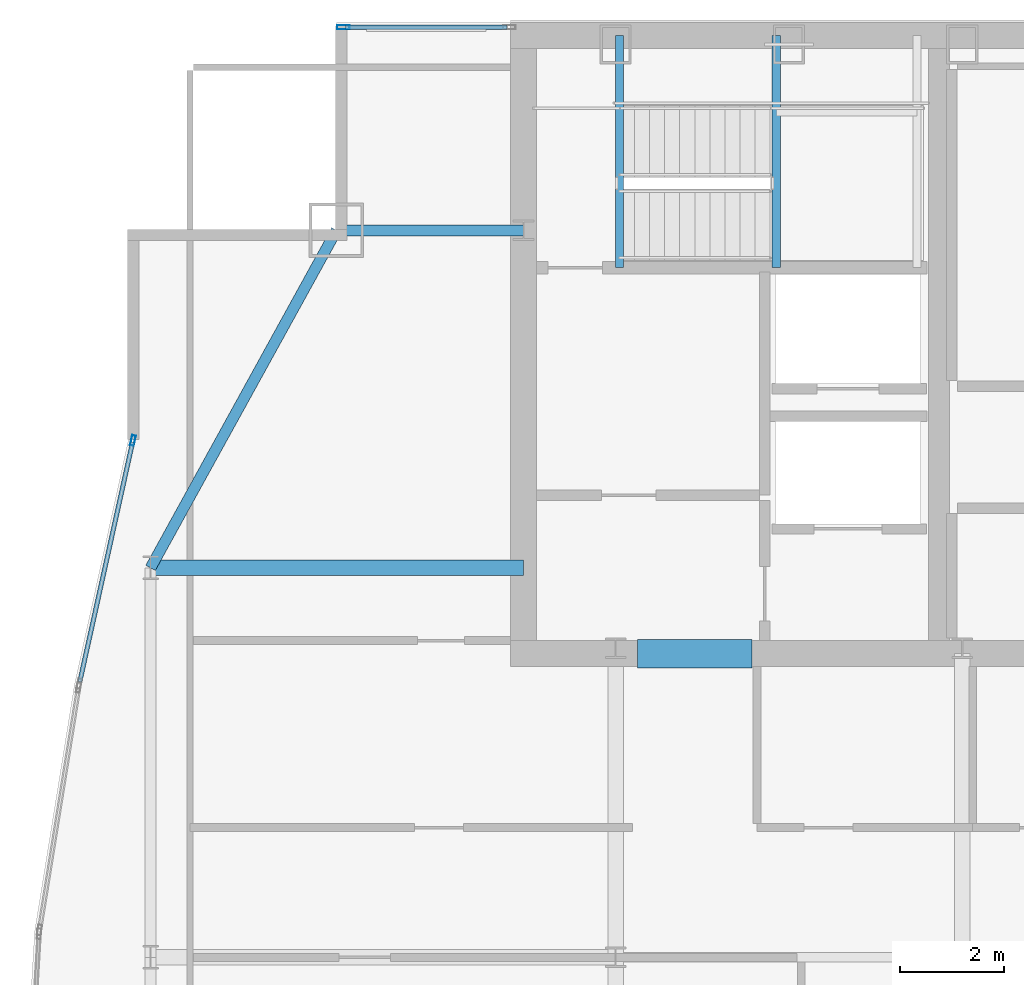
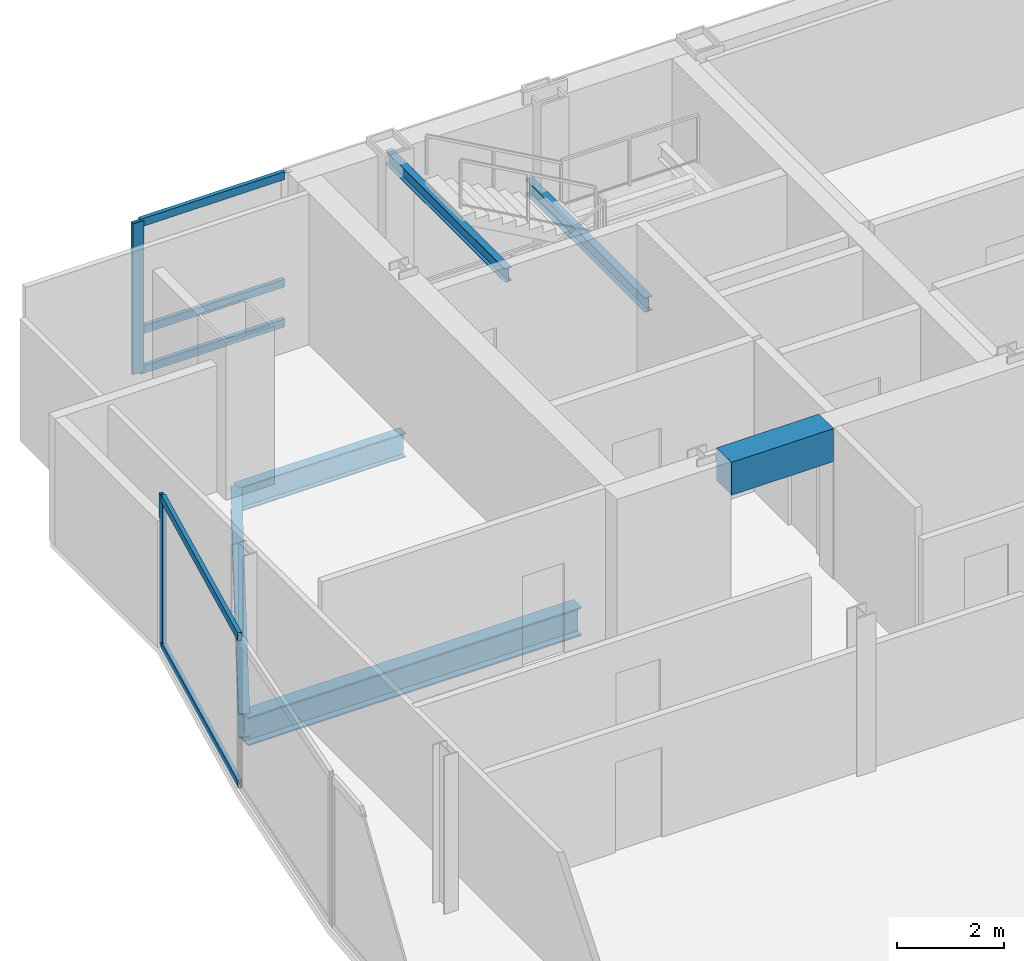
# One storey, part 20 of 30: 7 members, 6 beams, 2 elements without a shape of their own.
"""IFC4 building model written with IfcOpenShell, lengths in metres."""

import ifcopenshell
import ifcopenshell.guid

model = None  # the IFC model being written
_history = None  # IfcOwnerHistory: only IFC2X3 demands one
_inside = {}  # id of a spatial element -> (the spatial element, [elements in it])
_under = {}  # id of a project, library or spatial element -> (it, [spatial elements below it])
_declared = {}  # id of a project -> (the project, [libraries it declares])
_typed = {}  # id of a type object -> (the type object, [elements of that type])
_made_of = {}  # id of a material, layer set ... -> (it, [elements and type objects made of it])


def new_model(schema):
    """Start an empty IFC model of exactly this schema.

    Asked for "IFC4X3", IfcOpenShell would pick the latest addendum, in which some entities
    have other attributes; the version numbers below select the first issue.
    IFC2X3 requires an IfcOwnerHistory on every rooted entity: one is made here for all.
    """
    global model, _history
    if schema == "IFC4X3":
        model = ifcopenshell.file(schema_version=(4, 3, 0, 0))
    else:
        model = ifcopenshell.file(schema=schema)
    _inside.clear()
    _under.clear()
    _declared.clear()
    _typed.clear()
    _made_of.clear()
    _history = None
    if model.schema == "IFC2X3":
        org = make("IfcOrganization", Name="unknown")
        user = make(
            "IfcPersonAndOrganization",
            ThePerson=make("IfcPerson", FamilyName="unknown"),
            TheOrganization=org,
        )
        app = make(
            "IfcApplication",
            ApplicationDeveloper=org,
            Version="unknown",
            ApplicationFullName="unknown",
            ApplicationIdentifier="unknown",
        )
        _history = make(
            "IfcOwnerHistory",
            OwningUser=user,
            OwningApplication=app,
            ChangeAction="ADDED",
            CreationDate=0,
        )
    return model


def make(cls, **values):
    """One entity of the class cls with the attributes given. An attribute that is None is left unset."""
    return model.create_entity(
        cls, **{name: value for name, value in values.items() if value is not None}
    )


def rooted(cls, **values):
    """An entity with a GlobalId (a new one), such as an element, a storey or a relation."""
    return make(cls, GlobalId=ifcopenshell.guid.new(), OwnerHistory=_history, **values)


def si_unit(unit_type, name, prefix=None):
    """IfcSIUnit, for example si_unit("LENGTHUNIT", "METRE", prefix="MILLI")."""
    return make("IfcSIUnit", UnitType=unit_type, Prefix=prefix, Name=name)


def assignment(units):
    """IfcUnitAssignment: the units of a project."""
    return None if units is None else make("IfcUnitAssignment", Units=units)


def point(xyz):
    """IfcCartesianPoint."""
    return None if xyz is None else make("IfcCartesianPoint", Coordinates=xyz)


def direction(xyz):
    """IfcDirection."""
    return None if xyz is None else make("IfcDirection", DirectionRatios=xyz)


def frame(location, z_axis=None, x_axis=None):
    """IfcAxis2Placement3D, a coordinate frame: its origin and axes. An axis left out is left unset."""
    return make(
        "IfcAxis2Placement3D",
        Location=point(location),
        Axis=direction(z_axis),
        RefDirection=direction(x_axis),
    )


def frame_2d(location, x_axis=None):
    """IfcAxis2Placement2D, a coordinate frame in the plane: its origin and x axis."""
    return make(
        "IfcAxis2Placement2D", Location=point(location), RefDirection=direction(x_axis)
    )


def origin():
    """The frame at (0, 0, 0) with its axes left unset."""
    return frame((0.0, 0.0, 0.0))


def origin_2d():
    """The frame at (0, 0) in the plane with its x axis left unset."""
    return frame_2d((0.0, 0.0))


def place(relative_to, where):
    """IfcLocalPlacement: puts the frame where relative to a parent placement (None: the world)."""
    return make(
        "IfcLocalPlacement", PlacementRelTo=relative_to, RelativePlacement=where
    )


def context(
    kind, dimensions, precision=None, world=None, true_north=None, identifier=None
):
    """IfcGeometricRepresentationContext, for example the 3D "Model" context."""
    return make(
        "IfcGeometricRepresentationContext",
        ContextIdentifier=identifier,
        ContextType=kind,
        CoordinateSpaceDimension=dimensions,
        Precision=precision,
        WorldCoordinateSystem=world,
        TrueNorth=true_north,
    )


def subcontext(parent, identifier, kind, view, scale=None):
    """IfcGeometricRepresentationSubContext, for example "Body" below "Model"."""
    return make(
        "IfcGeometricRepresentationSubContext",
        ContextIdentifier=identifier,
        ContextType=kind,
        ParentContext=parent,
        TargetScale=scale,
        TargetView=view,
    )


def project(units=None, contexts=None):
    """IfcProject with its units and contexts."""
    return rooted(
        "IfcProject",
        Name="project",
        RepresentationContexts=contexts,
        UnitsInContext=assignment(units),
    )


def spatial(cls, under=None, at=None, **own):
    """A site, building, storey or space (cls), placed at a placement, below another one or the project."""
    s = rooted(cls, ObjectPlacement=at, **own)
    if under is not None:
        _under.setdefault(under.id(), (under, []))[1].append(s)
    return s


def profile(cls, at=None, kind="AREA", **sizes):
    """A parametric profile (cls). Its sizes go by their IFC names, for example OverallWidth=200.0."""
    return make(cls, ProfileType=kind, Position=at, **sizes)


def rectangle(**sizes):
    """IfcRectangleProfileDef."""
    return profile("IfcRectangleProfileDef", **sizes)


def hollow_rectangle(**sizes):
    """IfcRectangleHollowProfileDef."""
    return profile("IfcRectangleHollowProfileDef", **sizes)


def i_section(**sizes):
    """IfcIShapeProfileDef."""
    return profile("IfcIShapeProfileDef", **sizes)


def extrude(swept, where, along, depth):
    """IfcExtrudedAreaSolid: the profile swept, set in the frame where, extruded along a direction by depth."""
    return make(
        "IfcExtrudedAreaSolid",
        SweptArea=swept,
        Position=where,
        ExtrudedDirection=direction(along),
        Depth=depth,
    )


def shape(context_of_items, identifier, shape_type, items):
    """IfcShapeRepresentation: the items that make up one representation, for example the "Body"."""
    return make(
        "IfcShapeRepresentation",
        ContextOfItems=context_of_items,
        RepresentationIdentifier=identifier,
        RepresentationType=shape_type,
        Items=items,
    )


def material(Name=None, Category=None):
    """IfcMaterial."""
    return make("IfcMaterial", Name=Name, Category=Category)


def material_profile(
    of_material, cross_section, Name=None, Category=None, Priority=None
):
    """IfcMaterialProfile: a cross section and its material."""
    return make(
        "IfcMaterialProfile",
        Name=Name,
        Material=of_material,
        Profile=cross_section,
        Priority=Priority,
        Category=Category,
    )


def profile_set(profiles, Name=None, composite=None):
    """IfcMaterialProfileSet."""
    return make(
        "IfcMaterialProfileSet",
        Name=Name,
        MaterialProfiles=profiles,
        CompositeProfile=composite,
    )


def made_of(thing, what):
    """Note that an element or type object is made of a material, layer set ...; save() writes the relation."""
    if what is not None:
        _made_of.setdefault(what.id(), (what, []))[1].append(thing)
    return thing


def type_object(cls, material=None, **own):
    """A type object (cls), such as IfcWallType, which elements share."""
    return made_of(rooted(cls, **own), material)


def element(
    cls,
    number,
    at=None,
    inside=None,
    cuts=None,
    type_object=None,
    material=None,
    context=None,
    identifier="Body",
    shape_type=None,
    held_by="IfcProductDefinitionShape",
    body=None,
    shapes=None,
    **own,
):
    """One element of the class cls, such as IfcWall. Its Tag is "e" and its number.

    at: its placement. inside: the storey or other place that contains it. cuts: it is an
    opening in that element (IfcRelVoidsElement). A single representation is given by context,
    identifier, shape_type and body (its items); several are given by shapes. held_by: the class
    of the entity that holds the representations. save() writes the other relations.
    """
    e = rooted(cls, Tag="e%d" % number, ObjectPlacement=at, **own)
    if body is not None:
        shapes = [shape(context, identifier, shape_type, body)]
    if shapes is not None:
        e.Representation = make(held_by, Representations=shapes)
    if inside is not None:
        _inside.setdefault(inside.id(), (inside, []))[1].append(e)
    if cuts is not None:
        rooted(
            "IfcRelVoidsElement", RelatingBuildingElement=cuts, RelatedOpeningElement=e
        )
    if type_object is not None:
        _typed.setdefault(type_object.id(), (type_object, []))[1].append(e)
    return made_of(e, material)


def aggregate(whole, parts):
    """IfcRelAggregates: a whole, such as a stair, and the parts it consists of."""
    return rooted("IfcRelAggregates", RelatingObject=whole, RelatedObjects=parts)


def save(model, path):
    """Write the relations noted so far, then the file.

    IfcRelAggregates (storeys below a building ...), IfcRelContainedInSpatialStructure (elements
    in a storey), IfcRelDefinesByType, IfcRelAssociatesMaterial and IfcRelDeclares: one each for
    every whole, place, type object, material and project.
    """
    for whole, parts in _under.values():
        aggregate(whole, parts)
    for where, things in _inside.values():
        rooted(
            "IfcRelContainedInSpatialStructure",
            RelatedElements=things,
            RelatingStructure=where,
        )
    for kind, things in _typed.values():
        rooted("IfcRelDefinesByType", RelatedObjects=things, RelatingType=kind)
    for what, things in _made_of.values():
        rooted("IfcRelAssociatesMaterial", RelatedObjects=things, RelatingMaterial=what)
    for by, libraries in _declared.values():
        rooted("IfcRelDeclares", RelatingContext=by, RelatedDefinitions=libraries)
    model.write(path)


model = new_model("IFC4")

# Units and contexts
model_context = context("Model", 3, precision=1e-05, world=origin(), true_north=direction((0.0, 1.0)))
body_context = subcontext(model_context, "Body", "Model", "MODEL_VIEW")
ifc_project = project(units=[si_unit("LENGTHUNIT", "METRE"), si_unit("AREAUNIT", "SQUARE_METRE"), si_unit("VOLUMEUNIT", "CUBIC_METRE"), si_unit("PLANEANGLEUNIT", "RADIAN"), si_unit("MASSUNIT", "GRAM", prefix="KILO")], contexts=[model_context])

# Site, building, storey
site_placement = place(None, origin())
site = spatial("IfcSite", under=ifc_project, at=site_placement, CompositionType="ELEMENT")
building_placement = place(site_placement, origin())
building = spatial("IfcBuilding", under=site, at=building_placement, Name="Khoronbel Lancet Exchange", CompositionType="ELEMENT")
storey_placement = place(building_placement, frame((0.0, 0.0, 269.800048828125)))
storey = spatial("IfcBuildingStorey", under=building, at=storey_placement, Name="L69", CompositionType="ELEMENT", Elevation=269.800048828125)

# Beams
ifc_material_1 = material(Name="Steel S355", Category="steel")
ifc_material_profile_1 = material_profile(ifc_material_1, i_section(OverallWidth=0.300048828125, OverallDepth=0.64990234375, WebThickness=0.01611328125, FlangeThickness=0.031005859375, at=origin_2d()), Name="HEB 650")
ifc_profile_set_1 = profile_set([ifc_material_profile_1], Name="Steel S355")
beam_type_1 = type_object("IfcBeamType", Name="BM-BG4", PredefinedType="BEAM", material=ifc_profile_set_1)
beam_1_placement = place(storey_placement, frame((9.27001953125, 43.199951171875, -0.485107421875), z_axis=(1.0, 0.0, 0.0), x_axis=(0.0, 1.0, 0.0)))
element("IfcBeam", 1, at=beam_1_placement, inside=storey, type_object=beam_type_1, Name="Level L69 west lens tie girder LG3W", PredefinedType="BEAM", context=body_context, shape_type="SweptSolid", body=[
    extrude(i_section(OverallWidth=0.300048828125, OverallDepth=0.64990234375, WebThickness=0.01611328125, FlangeThickness=0.031005859375, at=origin_2d()), origin(), (0.0, 0.0, 1.0), 7.179931640625),
])
ifc_material_profile_2 = material_profile(ifc_material_1, i_section(OverallWidth=0.159912109375, OverallDepth=0.330078125, WebThickness=0.007568359375, FlangeThickness=0.011474609375, at=origin_2d()), Name="IPE 330")
ifc_profile_set_2 = profile_set([ifc_material_profile_2], Name="Steel S355")
beam_type_2 = type_object("IfcBeamType", Name="BM-BJ7", PredefinedType="JOIST", material=ifc_profile_set_2)
beam_2_placement = place(storey_placement, frame((21.320068359375, 48.97998046875, 1.43505859375), z_axis=(0.0, 1.0, 0.0), x_axis=(-1.0, 0.0, 0.0)))
element("IfcBeam", 2, at=beam_2_placement, inside=storey, type_object=beam_type_2, Name="Level L69 stair ST1 landing bearer beam 1", PredefinedType="JOIST", context=body_context, shape_type="SweptSolid", body=[
    extrude(i_section(OverallWidth=0.159912109375, OverallDepth=0.330078125, WebThickness=0.007568359375, FlangeThickness=0.011474609375, at=origin_2d()), origin(), (0.0, 0.0, 1.0), 4.469970703125),
])
ifc_material_profile_3 = material_profile(ifc_material_1, i_section(OverallWidth=0.14990234375, OverallDepth=0.300048828125, WebThickness=0.007080078125, FlangeThickness=0.0107421875, at=origin_2d()), Name="IPE 300")
ifc_profile_set_3 = profile_set([ifc_material_profile_3], Name="Steel S355")
beam_type_3 = type_object("IfcBeamType", Name="BM-BJ8", PredefinedType="JOIST", material=ifc_profile_set_3)
beam_3_placement = place(storey_placement, frame((18.300048828125, 48.97998046875, 3.159912109375), z_axis=(0.0, 1.0, 0.0), x_axis=(-1.0, 0.0, 0.0)))
element("IfcBeam", 3, at=beam_3_placement, inside=storey, type_object=beam_type_3, Name="Level L69 stair ST1 upper-flight arrival trimmer beam", PredefinedType="JOIST", context=body_context, shape_type="SweptSolid", body=[
    extrude(i_section(OverallWidth=0.14990234375, OverallDepth=0.300048828125, WebThickness=0.007080078125, FlangeThickness=0.0107421875, at=origin_2d()), origin(), (0.0, 0.0, 1.0), 4.469970703125),
])
ifc_material_2 = material(Name="Concrete C60/75", Category="concrete")
ifc_material_profile_4 = material_profile(ifc_material_2, rectangle(XDim=0.550048828125, YDim=0.75, at=origin_2d()), Name="RC 550x750")
ifc_profile_set_4 = profile_set([ifc_material_profile_4], Name="Concrete C60/75")
beam_type_4 = type_object("IfcBeamType", Name="BM-BL2", PredefinedType="LINTEL", material=ifc_profile_set_4)
beam_4_placement = place(storey_placement, frame((18.64990234375, 41.550048828125, 3.06494140625), z_axis=(1.0, 0.0, 0.0), x_axis=(0.0, 1.0, 0.0)))
element("IfcBeam", 4, at=beam_4_placement, inside=storey, type_object=beam_type_4, Name="Level L69 rear core coupling lintel L1", PredefinedType="LINTEL", context=body_context, shape_type="SweptSolid", body=[
    extrude(rectangle(XDim=0.550048828125, YDim=0.75, at=origin_2d()), origin(), (0.0, 0.0, 1.0), 2.2001953125),
])
ifc_material_profile_5 = material_profile(ifc_material_1, i_section(OverallWidth=0.2099609375, OverallDepth=0.550048828125, WebThickness=0.010986328125, FlangeThickness=0.01708984375, at=origin_2d()), Name="IPE 550")
ifc_profile_set_5 = profile_set([ifc_material_profile_5], Name="Steel S355")
beam_type_5 = type_object("IfcBeamType", Name="BM-BSP3", PredefinedType="SPANDREL", material=ifc_profile_set_5)
beam_5_placement = place(storey_placement, frame((12.85009765625, 49.699951171875, -0.43505859375), z_axis=(-0.482444051088, -0.875926787791, 0.0), x_axis=(0.875926787791, -0.482444051088, 0.0)))
element("IfcBeam", 5, at=beam_5_placement, inside=storey, type_object=beam_type_5, Name="Level L69 perimeter spandrel beam SP16", PredefinedType="SPANDREL", context=body_context, shape_type="SweptSolid", body=[
    extrude(i_section(OverallWidth=0.2099609375, OverallDepth=0.550048828125, WebThickness=0.010986328125, FlangeThickness=0.01708984375, at=origin_2d()), origin(), (0.0, 0.0, 1.0), 7.420654296875),
])
beam_6_placement = place(storey_placement, frame((12.85009765625, 49.699951171875, -0.43505859375), z_axis=(1.0, 0.0, 0.0), x_axis=(0.0, 1.0, 0.0)))
element("IfcBeam", 6, at=beam_6_placement, inside=storey, type_object=beam_type_5, Name="Level L69 north flank tie spandrel SP22", PredefinedType="SPANDREL", context=body_context, shape_type="SweptSolid", body=[
    extrude(i_section(OverallWidth=0.2099609375, OverallDepth=0.550048828125, WebThickness=0.010986328125, FlangeThickness=0.01708984375, at=origin_2d()), origin(), (0.0, 0.0, 1.0), 3.599853515625),
])

# Curtain wall, member
ifc_material_3 = material(Name="Low-E Solar Control Insulating Glass", Category="glass")
curtain_wall_type_1 = type_object("IfcCurtainWallType", Name="CW-3", PredefinedType="NOTDEFINED", material=ifc_material_3)
curtain_wall_1_placement = place(storey_placement, origin())
curtain_wall_1 = element("IfcCurtainWall", 7, at=curtain_wall_1_placement, inside=storey, type_object=curtain_wall_type_1, Name="Unitised curtain wall CW-L69-NWFLK", PredefinedType="NOTDEFINED")
ifc_material_4 = material(Name="Bronze-Anodised Aluminium 6063-T6", Category="aluminium")
ifc_material_profile_6 = material_profile(ifc_material_4, hollow_rectangle(XDim=0.0849609375, YDim=0.239990234375, WallThickness=0.006103515625, at=origin_2d()), Name="ALU MULLION 85x240")
ifc_profile_set_6 = profile_set([ifc_material_profile_6], Name="Bronze-Anodised Aluminium 6063-T6")
member_type_1 = type_object("IfcMemberType", Name="MEM-CWM1", PredefinedType="MULLION", material=ifc_profile_set_6)
member_1_placement = place(storey_placement, frame((12.982421875, 53.610107421875, 0.0), z_axis=(0.0, 0.0, 1.0), x_axis=(0.0, -1.0, 0.0)))
member_1 = element("IfcMember", 8, at=member_1_placement, type_object=member_type_1, Name="CW3 mullion 2", PredefinedType="MULLION", context=body_context, shape_type="SweptSolid", body=[
    extrude(hollow_rectangle(XDim=0.0849609375, YDim=0.239990234375, WallThickness=0.006103515625, at=origin_2d()), origin(), (0.0, 0.0, 1.0), 3.43994140625),
])

# Curtain wall, members
curtain_wall_type_2 = type_object("IfcCurtainWallType", Name="CW-4", PredefinedType="NOTDEFINED", material=ifc_material_3)
curtain_wall_2_placement = place(storey_placement, origin())
curtain_wall_2 = element("IfcCurtainWall", 9, at=curtain_wall_2_placement, inside=storey, type_object=curtain_wall_type_2, Name="Unitised curtain wall CW-L69-E09", PredefinedType="NOTDEFINED")
ifc_material_profile_7 = material_profile(ifc_material_4, hollow_rectangle(XDim=0.074951171875, YDim=0.199951171875, WallThickness=0.0048828125, at=origin_2d()), Name="ALU MULLION 75x200")
ifc_profile_set_7 = profile_set([ifc_material_profile_7], Name="Bronze-Anodised Aluminium 6063-T6")
member_type_2 = type_object("IfcMemberType", Name="MEM-CWM2", PredefinedType="MULLION", material=ifc_profile_set_7)
member_2_placement = place(storey_placement, frame((8.931884765625, 45.653564453125, 0.0), z_axis=(0.0, 0.0, 1.0), x_axis=(-0.976565223192, 0.21522166446, 0.0)))
member_2 = element("IfcMember", 10, at=member_2_placement, type_object=member_type_2, Name="CW4 mullion 2", PredefinedType="MULLION", context=body_context, shape_type="SweptSolid", body=[
    extrude(hollow_rectangle(XDim=0.074951171875, YDim=0.199951171875, WallThickness=0.0048828125, at=origin_2d()), origin(), (0.0, 0.0, 1.0), 3.43994140625),
])
ifc_material_profile_8 = material_profile(ifc_material_4, hollow_rectangle(XDim=0.0849609375, YDim=0.179931640625, WallThickness=0.0048828125, at=origin_2d()), Name="ALU TRANSOM 85x180")
ifc_profile_set_8 = profile_set([ifc_material_profile_8], Name="Bronze-Anodised Aluminium 6063-T6")
member_type_3 = type_object("IfcMemberType", Name="MEM-CWT1", PredefinedType="USERDEFINED", material=ifc_profile_set_8)
member_3_placement = place(storey_placement, frame((7.90771484375, 41.00634765625, 0.04248046875), z_axis=(0.2152218324, 0.97656518618, 0.0), x_axis=(-0.97656518618, 0.2152218324, 0.0)))
member_3 = element("IfcMember", 11, at=member_3_placement, type_object=member_type_3, Name="CW4 transom 1.1", ObjectType="TRANSOM", PredefinedType="USERDEFINED", context=body_context, shape_type="SweptSolid", body=[
    extrude(hollow_rectangle(XDim=0.0849609375, YDim=0.179931640625, WallThickness=0.0048828125, at=origin_2d()), origin(), (0.0, 0.0, 1.0), 4.72119140625),
])
member_4_placement = place(storey_placement, frame((7.90771484375, 41.00634765625, 3.3974609375), z_axis=(0.2152218324, 0.97656518618, 0.0), x_axis=(-0.97656518618, 0.2152218324, 0.0)))
member_4 = element("IfcMember", 12, at=member_4_placement, type_object=member_type_3, Name="CW4 transom 1.2", ObjectType="TRANSOM", PredefinedType="USERDEFINED", context=body_context, shape_type="SweptSolid", body=[
    extrude(hollow_rectangle(XDim=0.0849609375, YDim=0.179931640625, WallThickness=0.0048828125, at=origin_2d()), origin(), (0.0, 0.0, 1.0), 4.72119140625),
])
aggregate(curtain_wall_2, [member_2, member_3, member_4])

# Member
member_5_placement = place(storey_placement, frame((16.135009765625, 53.610107421875, 0.04248046875), z_axis=(-1.0, 0.0, 0.0), x_axis=(0.0, -1.0, 0.0)))
member_5 = element("IfcMember", 13, at=member_5_placement, type_object=member_type_3, Name="CW3 transom 1.1", ObjectType="TRANSOM", PredefinedType="USERDEFINED", context=body_context, shape_type="SweptSolid", body=[
    extrude(hollow_rectangle(XDim=0.0849609375, YDim=0.179931640625, WallThickness=0.0048828125, at=origin_2d()), origin(), (0.0, 0.0, 1.0), 3.110107421875),
])

member_6_placement = place(storey_placement, frame((16.135009765625, 53.610107421875, 0.949951171875), z_axis=(-1.0, 0.0, 0.0), x_axis=(0.0, -1.0, 0.0)))
member_6 = element("IfcMember", 14, at=member_6_placement, type_object=member_type_3, Name="CW3 transom 1.2", ObjectType="TRANSOM", PredefinedType="USERDEFINED", context=body_context, shape_type="SweptSolid", body=[
    extrude(hollow_rectangle(XDim=0.0849609375, YDim=0.179931640625, WallThickness=0.0048828125, at=origin_2d()), origin(), (0.0, 0.0, 1.0), 3.110107421875),
])

member_7_placement = place(storey_placement, frame((16.135009765625, 53.610107421875, 3.3974609375), z_axis=(-1.0, 0.0, 0.0), x_axis=(0.0, -1.0, 0.0)))
member_7 = element("IfcMember", 15, at=member_7_placement, type_object=member_type_3, Name="CW3 transom 1.3", ObjectType="TRANSOM", PredefinedType="USERDEFINED", context=body_context, shape_type="SweptSolid", body=[
    extrude(hollow_rectangle(XDim=0.0849609375, YDim=0.179931640625, WallThickness=0.0048828125, at=origin_2d()), origin(), (0.0, 0.0, 1.0), 3.110107421875),
])

aggregate(curtain_wall_1, [member_1, member_5, member_6, member_7])

save(model, "model.ifc")
